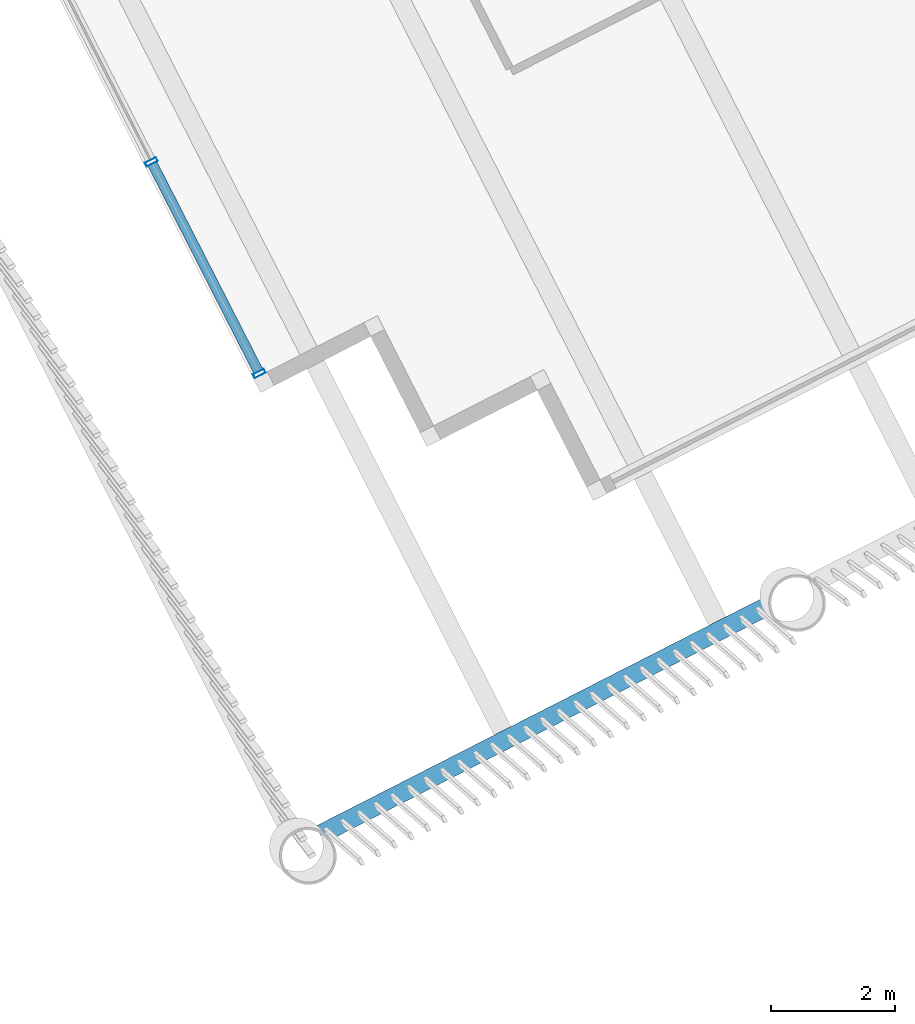
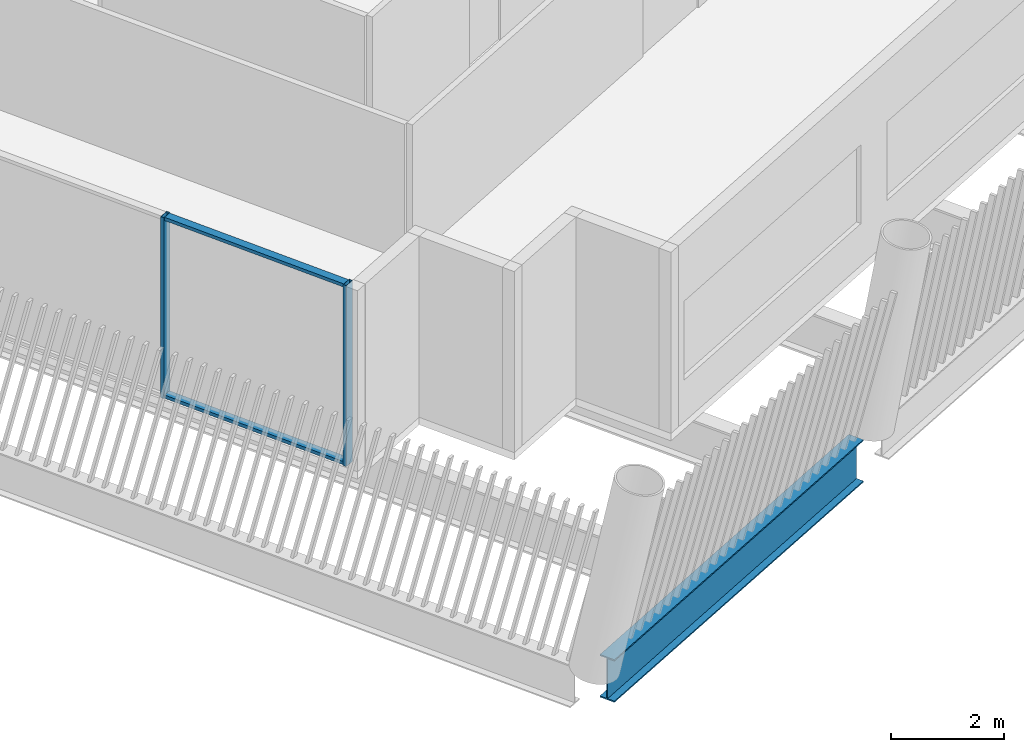
# One storey, part 2 of 28: 4 members, 1 beam, 1 element without a shape of its own.
"""IFC4 building model written with IfcOpenShell, lengths in metres."""

from ifc_helpers import new_model, si_unit, direction, frame, origin, origin_2d, place, context, subcontext, project, spatial, hollow_rectangle, i_section, extrude, material, layer, layer_set, material_profile, profile_set, type_object, element, aggregate, save


model = new_model("IFC4")

# Units and contexts
model_context = context("Model", 3, precision=1e-05, world=origin(), true_north=direction((0.0, 1.0)))
body_context = subcontext(model_context, "Body", "Model", "MODEL_VIEW")
ifc_project = project(units=[si_unit("LENGTHUNIT", "METRE"), si_unit("AREAUNIT", "SQUARE_METRE"), si_unit("VOLUMEUNIT", "CUBIC_METRE"), si_unit("PLANEANGLEUNIT", "RADIAN"), si_unit("MASSUNIT", "GRAM", prefix="KILO")], contexts=[model_context])

# Site, building, storey
site_placement = place(None, origin())
site = spatial("IfcSite", under=ifc_project, at=site_placement, CompositionType="ELEMENT")
building_placement = place(site_placement, origin())
building = spatial("IfcBuilding", under=site, at=building_placement, Name="Tarsis Ring Headquarters", CompositionType="ELEMENT")
storey_placement = place(building_placement, frame((0.0, 0.0, 394.39990234375)))
storey = spatial("IfcBuildingStorey", under=building, at=storey_placement, Name="L93", CompositionType="ELEMENT", Elevation=394.39990234375)

# Curtain wall, members
ifc_material_1 = material(Name="Aluminium curtain wall", Category="aluminium")
ifc_layer = layer(ifc_material_1, 0.199951171875)
ifc_layer_set = layer_set([ifc_layer], Name="Curtain wall executive tip")
curtain_wall_type = type_object("IfcCurtainWallType", Name="Curtain wall executive tip", PredefinedType="NOTDEFINED", material=ifc_layer_set)
curtain_wall_placement = place(storey_placement, origin())
curtain_wall = element("IfcCurtainWall", 1, at=curtain_wall_placement, inside=storey, type_object=curtain_wall_type, Name="Curtain wall L93-36", PredefinedType="NOTDEFINED")
ifc_material_2 = material(Name="Aluminium mullion", Category="aluminium")
ifc_material_profile_1 = material_profile(ifc_material_2, hollow_rectangle(XDim=0.199951171875, YDim=0.070068359375, WallThickness=0.0048828125, at=origin_2d()), Name="RHS 200x70x5")
ifc_profile_set_1 = profile_set([ifc_material_profile_1], Name="Aluminium mullion")
member_type_1 = type_object("IfcMemberType", Name="Curtain wall mullion executive tip RHS 200x70x5", PredefinedType="MULLION", material=ifc_profile_set_1)
member_1_placement = place(storey_placement, frame((-33.754638671875, -21.5791015625, 0.0), z_axis=(0.0, 0.0, 1.0), x_axis=(0.890689351281, 0.454612449801, 0.0)))
member_1 = element("IfcMember", 2, at=member_1_placement, type_object=member_type_1, Name="CW-E mullion 4", PredefinedType="MULLION", context=body_context, shape_type="SweptSolid", body=[
    extrude(hollow_rectangle(XDim=0.199951171875, YDim=0.070068359375, WallThickness=0.0048828125, at=origin_2d()), origin(), (0.0, 0.0, 1.0), 3.900146484375),
])
member_2_placement = place(storey_placement, frame((-32.0087890625, -24.999267578125, 0.0), z_axis=(0.0, 0.0, 1.0), x_axis=(0.890689351281, 0.454612449801, 0.0)))
member_2 = element("IfcMember", 3, at=member_2_placement, type_object=member_type_1, Name="CW-E mullion 5", PredefinedType="MULLION", context=body_context, shape_type="SweptSolid", body=[
    extrude(hollow_rectangle(XDim=0.199951171875, YDim=0.070068359375, WallThickness=0.0048828125, at=origin_2d()), origin(), (0.0, 0.0, 1.0), 3.900146484375),
])
ifc_material_3 = material(Name="Aluminium transom", Category="aluminium")
ifc_material_profile_2 = material_profile(ifc_material_3, hollow_rectangle(XDim=0.159912109375, YDim=0.070068359375, WallThickness=0.0048828125, at=origin_2d()), Name="RHS 160x70x5")
ifc_profile_set_2 = profile_set([ifc_material_profile_2], Name="Aluminium transom")
member_type_2 = type_object("IfcMemberType", Name="Curtain wall transom executive tip RHS 160x70x5", PredefinedType="USERDEFINED", material=ifc_profile_set_2)
member_3_placement = place(storey_placement, frame((-33.73876953125, -21.6103515625, 0.03515625), z_axis=(0.454606659383, -0.890692306717, 0.0), x_axis=(0.890692306717, 0.454606659383, 0.0)))
member_3 = element("IfcMember", 4, at=member_3_placement, type_object=member_type_2, Name="CW-E transom 4.1", ObjectType="TRANSOM", PredefinedType="USERDEFINED", context=body_context, shape_type="SweptSolid", body=[
    extrude(hollow_rectangle(XDim=0.159912109375, YDim=0.070068359375, WallThickness=0.0048828125, at=origin_2d()), origin(), (0.0, 0.0, 1.0), 3.77001953125),
])
member_4_placement = place(storey_placement, frame((-33.73876953125, -21.6103515625, 3.864990234375), z_axis=(0.454606659383, -0.890692306717, 0.0), x_axis=(0.890692306717, 0.454606659383, 0.0)))
member_4 = element("IfcMember", 5, at=member_4_placement, type_object=member_type_2, Name="CW-E transom 4.2", ObjectType="TRANSOM", PredefinedType="USERDEFINED", context=body_context, shape_type="SweptSolid", body=[
    extrude(hollow_rectangle(XDim=0.159912109375, YDim=0.070068359375, WallThickness=0.0048828125, at=origin_2d()), origin(), (0.0, 0.0, 1.0), 3.77001953125),
])
aggregate(curtain_wall, [member_1, member_2, member_3, member_4])

# Beam
ifc_material_4 = material(Name="Structural steel S355", Category="steel")
ifc_material_profile_3 = material_profile(ifc_material_4, i_section(OverallWidth=0.3046875, OverallDepth=0.91943359375, WebThickness=0.017333984375, FlangeThickness=0.02783203125, at=origin_2d()), Name="W36x170")
ifc_profile_set_3 = profile_set([ifc_material_profile_3], Name="Structural steel S355")
beam_type = type_object("IfcBeamType", Name="XG Ring girder W36x170", PredefinedType="BEAM", material=ifc_profile_set_3)
beam_placement = place(storey_placement, frame((-31.02685546875, -32.45263671875, -0.459716796875), z_axis=(0.890685714753, 0.454619574517, 0.0), x_axis=(-0.454619574517, 0.890685714753, 0.0)))
element("IfcBeam", 6, at=beam_placement, inside=storey, type_object=beam_type, Name="Ring girder XG4", PredefinedType="BEAM", context=body_context, shape_type="SweptSolid", body=[
    extrude(i_section(OverallWidth=0.3046875, OverallDepth=0.91943359375, WebThickness=0.017333984375, FlangeThickness=0.02783203125, at=origin_2d()), origin(), (0.0, 0.0, 1.0), 8.07958984375),
])

save(model, "model.ifc")
